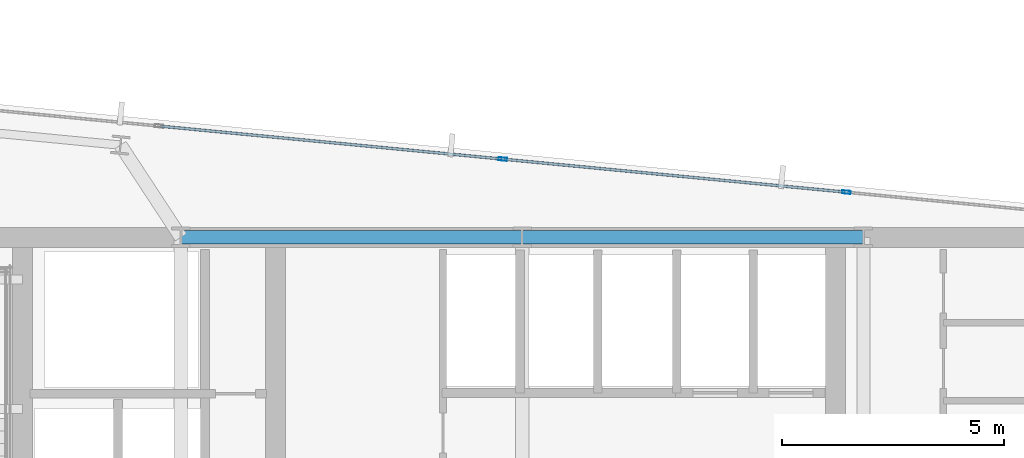
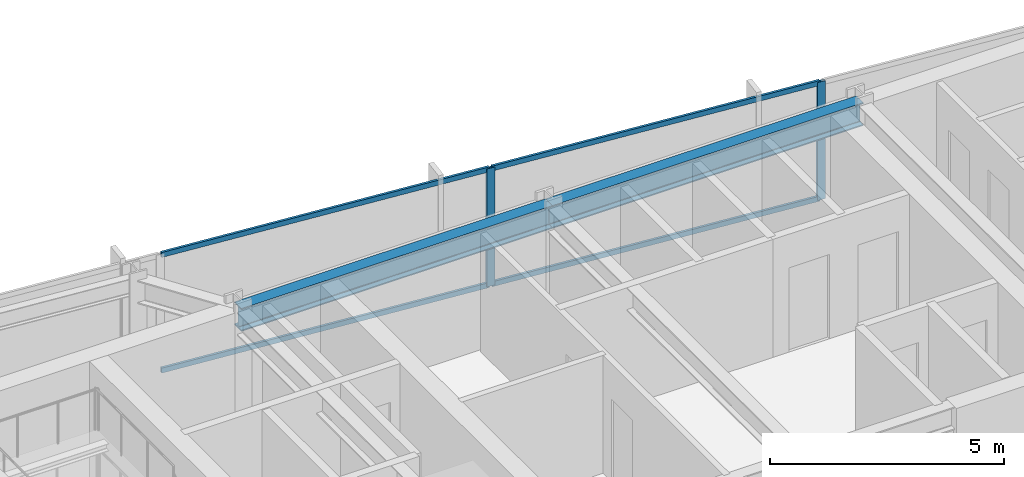
# One storey, part 26 of 38: 6 members, 2 beams, 1 element without a shape of its own.
"""IFC4 building model written with IfcOpenShell, lengths in metres."""

from ifc_helpers import new_model, si_unit, direction, frame, origin, origin_2d, place, context, subcontext, project, spatial, hollow_rectangle, i_section, extrude, material, material_profile, profile_set, type_object, element, aggregate, save


model = new_model("IFC4")

# Units and contexts
model_context = context("Model", 3, precision=1e-05, world=origin(), true_north=direction((0.0, 1.0)))
body_context = subcontext(model_context, "Body", "Model", "MODEL_VIEW")
ifc_project = project(units=[si_unit("LENGTHUNIT", "METRE"), si_unit("AREAUNIT", "SQUARE_METRE"), si_unit("VOLUMEUNIT", "CUBIC_METRE"), si_unit("PLANEANGLEUNIT", "RADIAN"), si_unit("MASSUNIT", "GRAM", prefix="KILO")], contexts=[model_context])

# Site, building, storey
site_placement = place(None, origin())
site = spatial("IfcSite", under=ifc_project, at=site_placement, CompositionType="ELEMENT")
building_placement = place(site_placement, origin())
building = spatial("IfcBuilding", under=site, at=building_placement, Name="Yelkora Congress Tower", CompositionType="ELEMENT")
storey_placement = place(building_placement, frame((0.0, 0.0, 155.60009765625)))
storey = spatial("IfcBuildingStorey", under=building, at=storey_placement, Name="L42", CompositionType="ELEMENT", Elevation=155.60009765625)

# Beams
ifc_material_1 = material(Name="Steel S355J2", Category="steel")
ifc_material_profile_1 = material_profile(ifc_material_1, i_section(OverallWidth=0.300048828125, OverallDepth=0.60009765625, WebThickness=0.015380859375, FlangeThickness=0.030029296875, FilletRadius=0.027099609375, at=origin_2d()), Name="HEB 600")
ifc_profile_set_1 = profile_set([ifc_material_profile_1], Name="Steel S355J2")
beam_type = type_object("IfcBeamType", Name="BM-GIRD-HEB600", PredefinedType="BEAM", material=ifc_profile_set_1)
beam_1_placement = place(storey_placement, frame((30.719970703125, 46.199951171875, 2.77978515625), z_axis=(1.0, 0.0, 0.0), x_axis=(0.0, 1.0, 0.0)))
element("IfcBeam", 1, at=beam_1_placement, inside=storey, type_object=beam_type, Name="L42 Core North Girder 3", PredefinedType="BEAM", context=body_context, shape_type="SweptSolid", body=[
    extrude(i_section(OverallWidth=0.300048828125, OverallDepth=0.60009765625, WebThickness=0.015380859375, FlangeThickness=0.030029296875, FilletRadius=0.027099609375, at=origin_2d()), origin(), (0.0, 0.0, 1.0), 7.679931640625),
])
beam_2_placement = place(storey_placement, frame((38.39990234375, 46.199951171875, 2.77978515625), z_axis=(1.0, 0.0, 0.0), x_axis=(0.0, 1.0, 0.0)))
element("IfcBeam", 2, at=beam_2_placement, inside=storey, type_object=beam_type, Name="L42 Core North Girder 4", PredefinedType="BEAM", context=body_context, shape_type="SweptSolid", body=[
    extrude(i_section(OverallWidth=0.300048828125, OverallDepth=0.60009765625, WebThickness=0.015380859375, FlangeThickness=0.030029296875, FilletRadius=0.027099609375, at=origin_2d()), origin(), (0.0, 0.0, 1.0), 7.68017578125),
])

# Curtain wall, members
ifc_material_2 = material(Name="Anodised aluminium and insulated glass", Category="aluminium")
curtain_wall_type = type_object("IfcCurtainWallType", Name="CW-SYS-B3", PredefinedType="NOTDEFINED", material=ifc_material_2)
curtain_wall_placement = place(storey_placement, origin())
curtain_wall = element("IfcCurtainWall", 3, at=curtain_wall_placement, inside=storey, type_object=curtain_wall_type, Name="L42 Unitised Curtain Wall 10 (1)", PredefinedType="NOTDEFINED")
ifc_material_3 = material(Name="Anodised aluminium 6063-T6", Category="aluminium")
ifc_material_profile_2 = material_profile(ifc_material_3, hollow_rectangle(XDim=0.070068359375, YDim=0.18994140625, WallThickness=0.00390625, at=origin_2d()), Name="ALU 70x190x4")
ifc_profile_set_2 = profile_set([ifc_material_profile_2], Name="Anodised aluminium 6063-T6")
member_type_1 = type_object("IfcMemberType", Name="MEM-ML-B3", PredefinedType="MULLION", material=ifc_profile_set_2)
member_1_placement = place(storey_placement, frame((37.9638671875, 47.958984375, 0.0), z_axis=(0.0, 0.0, 1.0), x_axis=(0.095844761168, 0.995396293823, 0.0)))
member_1 = element("IfcMember", 4, at=member_1_placement, type_object=member_type_1, Name="CW-B3 mullion 5", PredefinedType="MULLION", context=body_context, shape_type="SweptSolid", body=[
    extrude(hollow_rectangle(XDim=0.070068359375, YDim=0.18994140625, WallThickness=0.00390625, at=origin_2d()), origin(), (0.0, 0.0, 1.0), 3.079833984375),
])
member_2_placement = place(storey_placement, frame((45.697509765625, 47.21435546875, 0.0), z_axis=(0.0, 0.0, 1.0), x_axis=(0.095844761168, 0.995396293823, 0.0)))
member_2 = element("IfcMember", 5, at=member_2_placement, type_object=member_type_1, Name="CW-B3 mullion 6", PredefinedType="MULLION", context=body_context, shape_type="SweptSolid", body=[
    extrude(hollow_rectangle(XDim=0.070068359375, YDim=0.18994140625, WallThickness=0.00390625, at=origin_2d()), origin(), (0.0, 0.0, 1.0), 3.079833984375),
])
ifc_material_profile_3 = material_profile(ifc_material_3, hollow_rectangle(XDim=0.06005859375, YDim=0.1298828125, WallThickness=0.00390625, at=origin_2d()), Name="ALU 60x130x4")
ifc_profile_set_3 = profile_set([ifc_material_profile_3], Name="Anodised aluminium 6063-T6")
member_type_2 = type_object("IfcMemberType", Name="MEM-TR-B3", PredefinedType="USERDEFINED", material=ifc_profile_set_3)
member_3_placement = place(storey_placement, frame((30.26513671875, 48.7001953125, 0.02978515625), z_axis=(0.995398042106, -0.095826602633, 0.0), x_axis=(0.095826602633, 0.995398042106, 0.0)))
member_3 = element("IfcMember", 6, at=member_3_placement, type_object=member_type_2, Name="CW-B3 transom 4.1", ObjectType="TRANSOM", PredefinedType="USERDEFINED", context=body_context, shape_type="SweptSolid", body=[
    extrude(hollow_rectangle(XDim=0.06005859375, YDim=0.1298828125, WallThickness=0.00390625, at=origin_2d()), origin(), (0.0, 0.0, 1.0), 7.69921875),
])
member_4_placement = place(storey_placement, frame((30.26513671875, 48.7001953125, 3.0498046875), z_axis=(0.995398042106, -0.095826602633, 0.0), x_axis=(0.095826602633, 0.995398042106, 0.0)))
member_4 = element("IfcMember", 7, at=member_4_placement, type_object=member_type_2, Name="CW-B3 transom 4.2", ObjectType="TRANSOM", PredefinedType="USERDEFINED", context=body_context, shape_type="SweptSolid", body=[
    extrude(hollow_rectangle(XDim=0.06005859375, YDim=0.1298828125, WallThickness=0.00390625, at=origin_2d()), origin(), (0.0, 0.0, 1.0), 7.69921875),
])
member_5_placement = place(storey_placement, frame((37.998779296875, 47.95556640625, 0.02978515625), z_axis=(0.995398042106, -0.095826602633, 0.0), x_axis=(0.095826602633, 0.995398042106, 0.0)))
member_5 = element("IfcMember", 8, at=member_5_placement, type_object=member_type_2, Name="CW-B3 transom 5.1", ObjectType="TRANSOM", PredefinedType="USERDEFINED", context=body_context, shape_type="SweptSolid", body=[
    extrude(hollow_rectangle(XDim=0.06005859375, YDim=0.1298828125, WallThickness=0.00390625, at=origin_2d()), origin(), (0.0, 0.0, 1.0), 7.69921875),
])
member_6_placement = place(storey_placement, frame((37.998779296875, 47.95556640625, 3.0498046875), z_axis=(0.995398042106, -0.095826602633, 0.0), x_axis=(0.095826602633, 0.995398042106, 0.0)))
member_6 = element("IfcMember", 9, at=member_6_placement, type_object=member_type_2, Name="CW-B3 transom 5.2", ObjectType="TRANSOM", PredefinedType="USERDEFINED", context=body_context, shape_type="SweptSolid", body=[
    extrude(hollow_rectangle(XDim=0.06005859375, YDim=0.1298828125, WallThickness=0.00390625, at=origin_2d()), origin(), (0.0, 0.0, 1.0), 7.69921875),
])
aggregate(curtain_wall, [member_1, member_2, member_3, member_4, member_5, member_6])

save(model, "model.ifc")
